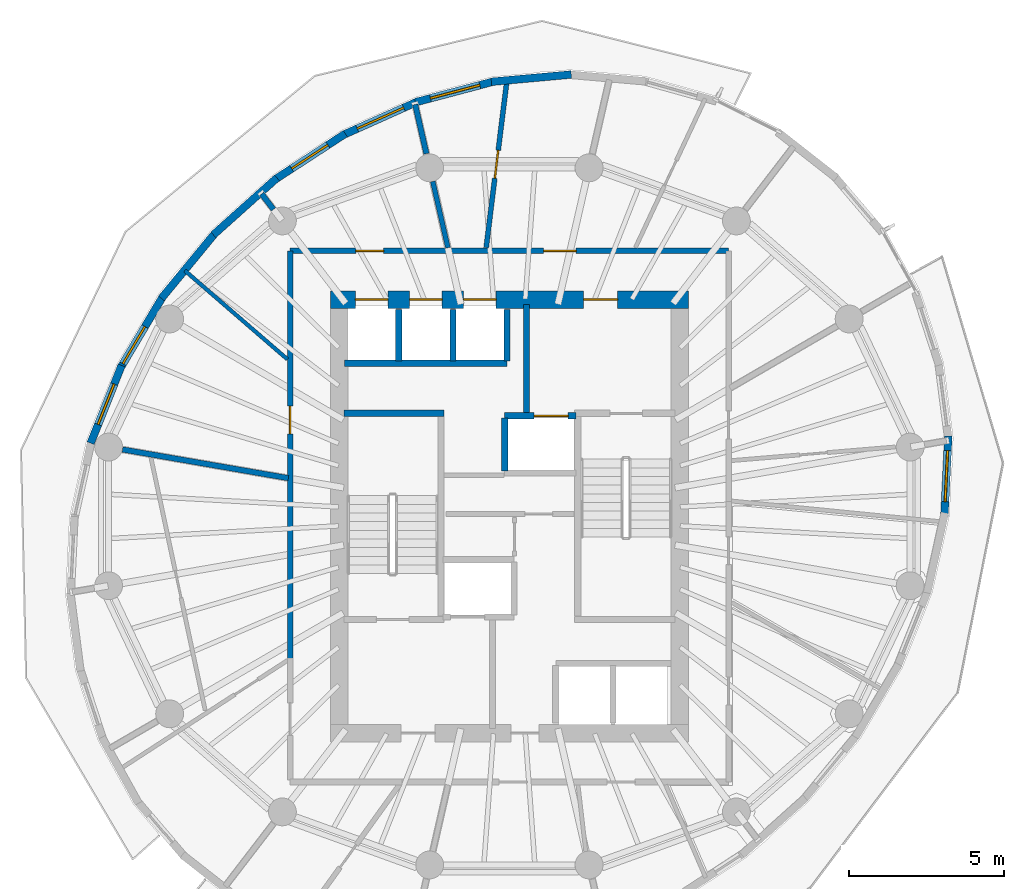
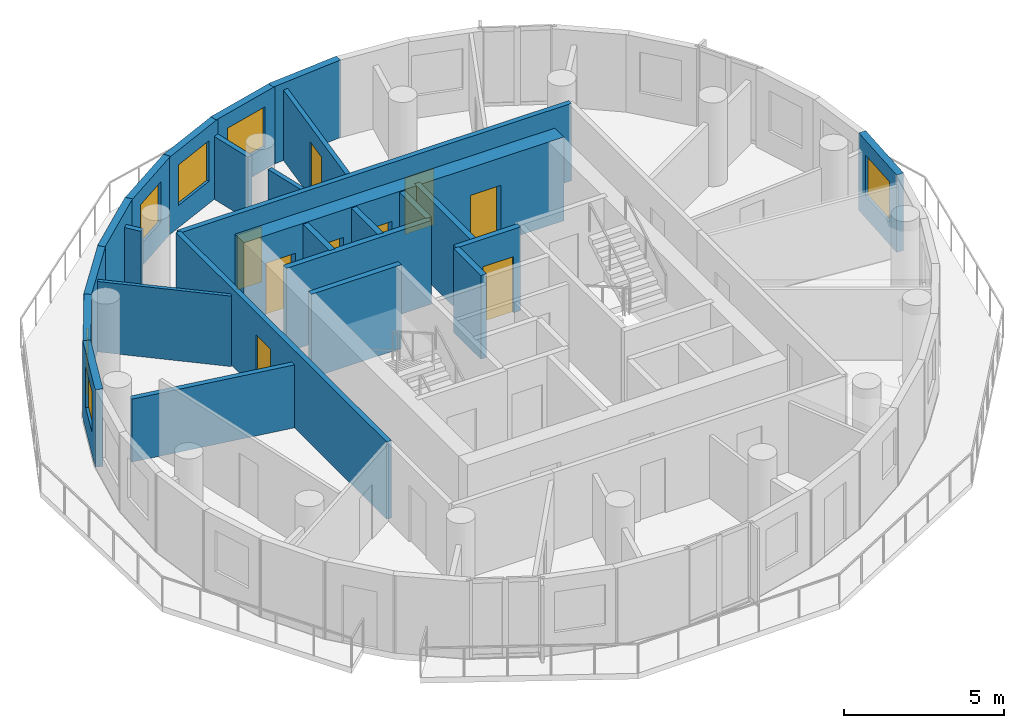
# One storey, part 6 of 10: 26 walls, 9 doors, 6 windows, 15 openings.
"""IFC4 building model written with IfcOpenShell, lengths in metres."""

from ifc_helpers import new_model, si_unit, direction, frame, frame_2d, origin, place, context, subcontext, project, spatial, rectangle, extrude, material, layer, layer_set, type_object, element, fill, save


model = new_model("IFC4")

# Units and contexts
model_context = context("Model", 3, precision=1e-05, world=origin(), true_north=direction((0.0, 1.0)))
body_context = subcontext(model_context, "Body", "Model", "MODEL_VIEW")
ifc_project = project(units=[si_unit("LENGTHUNIT", "METRE"), si_unit("AREAUNIT", "SQUARE_METRE"), si_unit("VOLUMEUNIT", "CUBIC_METRE"), si_unit("PLANEANGLEUNIT", "RADIAN"), si_unit("MASSUNIT", "GRAM", prefix="KILO")], contexts=[model_context])

# Site, building, storey
site_placement = place(None, origin())
site = spatial("IfcSite", under=ifc_project, at=site_placement, CompositionType="ELEMENT")
building_placement = place(site_placement, origin())
building = spatial("IfcBuilding", under=site, at=building_placement, Name="Veldorim Arch Residences", CompositionType="ELEMENT")
storey_placement = place(building_placement, frame((0.0, 0.0, 188.639892578125)))
storey = spatial("IfcBuildingStorey", under=building, at=storey_placement, Name="L56", CompositionType="ELEMENT", Elevation=188.639892578125)

# Walls
ifc_material_1 = material(Name="Acoustic Gypsum Board", Category="gypsum")
ifc_layer_1 = layer(ifc_material_1, 0.125, Name="Acoustic Stud Room Partition Wall 125")
ifc_layer_set_1 = layer_set([ifc_layer_1], Name="Acoustic Gypsum Board")
wall_type_1 = type_object("IfcWallType", Name="Acoustic Stud Room Partition Wall 125", PredefinedType="PARTITIONING", material=ifc_layer_set_1)
wall_1_placement = place(storey_placement, frame((21.515380859375, 31.940673828125, 0.0), z_axis=(0.0, 0.0, 1.0), x_axis=(0.756468247818, -0.654030419815, 0.0)))
element("IfcWall", 1, at=wall_1_placement, inside=storey, type_object=wall_type_1, Name="L56 interior wall WL-RES-L56-018", PredefinedType="PARTITIONING", context=body_context, shape_type="SweptSolid", body=[
    extrude(rectangle(XDim=4.380615234375, YDim=0.125, at=frame_2d((2.1904296875, 0.0))), origin(), (0.0, 0.0, 1.0), 2.692138671875),
])
ifc_material_2 = material(Name="Lightweight Masonry Block & Gypsum", Category="masonry")
ifc_layer_2 = layer(ifc_material_2, 0.179931640625, Name="Compartment & Corridor Fire-Rated Party Wall 180")
ifc_layer_set_2 = layer_set([ifc_layer_2], Name="Lightweight Masonry Block & Gypsum")
wall_type_2 = type_object("IfcWallType", Name="Compartment & Corridor Fire-Rated Party Wall 180", PredefinedType="PARTITIONING", material=ifc_layer_set_2)
wall_2_placement = place(storey_placement, frame((29.320068359375, 35.717529296875, 0.0), z_axis=(0.0, 0.0, 1.0), x_axis=(-0.222967107114, 0.974825968645, 0.0)))
element("IfcWall", 2, at=wall_2_placement, inside=storey, type_object=wall_type_2, Name="L56 interior wall WL-PIER-L56-05", PredefinedType="PARTITIONING", context=body_context, shape_type="SweptSolid", body=[
    extrude(rectangle(XDim=1.63037109375, YDim=0.179931640625, at=frame_2d((0.815185546875, 0.0))), origin(), (0.0, 0.0, 1.0), 2.403564453125),
])
wall_3_placement = place(storey_placement, frame((24.380126953125, 33.91796875, 0.0), z_axis=(0.0, 0.0, 1.0), x_axis=(-0.609112888366, 0.793083532314, 0.0)))
element("IfcWall", 3, at=wall_3_placement, inside=storey, type_object=wall_type_2, Name="L56 interior wall WL-PIER-L56-06", PredefinedType="PARTITIONING", context=body_context, shape_type="SweptSolid", body=[
    extrude(rectangle(XDim=0.631591796875, YDim=0.179931640625, at=frame_2d((0.31591796875, 0.0))), origin(), (0.0, 0.0, 1.0), 2.403564453125),
])

# Wall, openings, doors
wall_4_placement = place(storey_placement, frame((24.919921875, 32.580078125, 0.0), z_axis=(0.0, 0.0, 1.0), x_axis=(1.0, 0.0, 0.0)))
wall_4 = element("IfcWall", 4, at=wall_4_placement, inside=storey, type_object=wall_type_2, Name="L56 interior wall WL-RES-L56-004", PredefinedType="PARTITIONING", context=body_context, shape_type="SweptSolid", body=[
    extrude(rectangle(XDim=14.16015625, YDim=0.179931640625, at=frame_2d((7.080078125, 0.0))), origin(), (0.0, 0.0, 1.0), 2.955078125),
])
opening_1_placement = place(wall_4_placement, frame((8.186279296875, 0.0, 0.0)))
opening_1 = element("IfcOpeningElement", 5, at=opening_1_placement, cuts=wall_4, Name="Opening DR-FLT", PredefinedType="OPENING", context=body_context, shape_type="SweptSolid", body=[
    extrude(rectangle(XDim=1.050048828125, YDim=2.14990234375, at=frame_2d((0.52490234375, 1.074951171875))), frame((0.0, 0.099853515625, 0.0), z_axis=(0.0, -1.0, 0.0), x_axis=(1.0, 0.0, 0.0)), (0.0, 0.0, 1.0), 0.199951171875),
])
opening_2_placement = place(wall_4_placement, frame((2.118896484375, 0.0, 0.0)))
opening_2 = element("IfcOpeningElement", 6, at=opening_2_placement, cuts=wall_4, Name="Opening DR-SVC", PredefinedType="OPENING", context=body_context, shape_type="SweptSolid", body=[
    extrude(rectangle(XDim=0.89990234375, YDim=2.10009765625, at=frame_2d((0.449951171875, 1.050048828125))), frame((0.0, 0.099853515625, 0.0), z_axis=(0.0, -1.0, 0.0), x_axis=(1.0, 0.0, 0.0)), (0.0, 0.0, 1.0), 0.199951171875),
])
ifc_material_3 = material(Name="Fire-Rated Timber", Category="wood")
door_type_1 = type_object("IfcDoorType", Name="Apartment Entrance Solid-Core Fire Door 1050x2150", OperationType="SINGLE_SWING_LEFT", PredefinedType="DOOR", material=ifc_material_3)
door_1_placement = place(opening_1_placement, origin())
door_1 = element("IfcDoor", 7, at=door_1_placement, inside=storey, type_object=door_type_1, Name="L56 interior door DR-RES-L56-007", OperationType="SINGLE_SWING_LEFT", OverallHeight=2.14990234375, OverallWidth=1.050048828125, PredefinedType="DOOR", context=body_context, shape_type="SweptSolid", body=[
    extrude(rectangle(XDim=1.050048828125, YDim=2.14990234375, at=frame_2d((0.52490234375, 1.074951171875))), frame((0.0, 0.02490234375, 0.0), z_axis=(0.0, -1.0, 0.0), x_axis=(1.0, 0.0, 0.0)), (0.0, 0.0, 1.0), 0.050048828125),
])
fill(opening_1, door_1)
ifc_material_4 = material(Name="Fire-Rated Steel", Category="steel")
door_type_2 = type_object("IfcDoorType", Name="Riser, Shelter & Plant Room Rated Steel Door 900x2100", OperationType="SINGLE_SWING_LEFT", PredefinedType="DOOR", material=ifc_material_4)
door_2_placement = place(opening_2_placement, origin())
door_2 = element("IfcDoor", 8, at=door_2_placement, inside=storey, type_object=door_type_2, Name="L56 interior door DR-RES-L56-011", OperationType="SINGLE_SWING_LEFT", OverallHeight=2.10009765625, OverallWidth=0.89990234375, PredefinedType="DOOR", context=body_context, shape_type="SweptSolid", body=[
    extrude(rectangle(XDim=0.89990234375, YDim=2.10009765625, at=frame_2d((0.449951171875, 1.050048828125))), frame((0.0, 0.02490234375, 0.0), z_axis=(0.0, -1.0, 0.0), x_axis=(1.0, 0.0, 0.0)), (0.0, 0.0, 1.0), 0.050048828125),
])
fill(opening_2, door_2)

# Wall, opening, door
wall_5_placement = place(storey_placement, frame((24.919921875, 19.382080078125, 0.0), z_axis=(0.0, 0.0, 1.0), x_axis=(0.0, 1.0, 0.0)))
wall_5 = element("IfcWall", 9, at=wall_5_placement, inside=storey, type_object=wall_type_2, Name="L56 interior wall WL-RES-L56-005", PredefinedType="PARTITIONING", context=body_context, shape_type="SweptSolid", body=[
    extrude(rectangle(XDim=13.197998046875, YDim=0.179931640625, at=frame_2d((6.59912109375, 0.0))), origin(), (0.0, 0.0, 1.0), 2.955078125),
])
opening_3_placement = place(wall_5_placement, frame((7.2822265625, 0.0, 0.0)))
opening_3 = element("IfcOpeningElement", 10, at=opening_3_placement, cuts=wall_5, Name="Opening DR-INT", PredefinedType="OPENING", context=body_context, shape_type="SweptSolid", body=[
    extrude(rectangle(XDim=0.89990234375, YDim=2.10009765625, at=frame_2d((0.449951171875, 1.050048828125))), frame((0.0, 0.099853515625, 0.0), z_axis=(0.0, -1.0, 0.0), x_axis=(1.0, 0.0, 0.0)), (0.0, 0.0, 1.0), 0.199951171875),
])
ifc_material_5 = material(Name="Engineered Timber", Category="wood")
door_type_3 = type_object("IfcDoorType", Name="Apartment Internal Room Timber Door 900x2100", OperationType="SINGLE_SWING_LEFT", PredefinedType="DOOR", material=ifc_material_5)
door_3_placement = place(opening_3_placement, origin())
door_3 = element("IfcDoor", 11, at=door_3_placement, inside=storey, type_object=door_type_3, Name="L56 interior door DR-RES-L56-010", OperationType="SINGLE_SWING_RIGHT", OverallHeight=2.10009765625, OverallWidth=0.89990234375, PredefinedType="DOOR", context=body_context, shape_type="SweptSolid", body=[
    extrude(rectangle(XDim=0.89990234375, YDim=2.10009765625, at=frame_2d((0.449951171875, 1.050048828125))), frame((0.0, 0.02490234375, 0.0), z_axis=(0.0, -1.0, 0.0), x_axis=(1.0, 0.0, 0.0)), (0.0, 0.0, 1.0), 0.050048828125),
])
fill(opening_3, door_3)

# Walls
wall_6_placement = place(storey_placement, frame((24.86083984375, 25.235107421875, 0.0), z_axis=(0.0, 0.0, 1.0), x_axis=(-0.985368487575, 0.170437506711, 0.0)))
element("IfcWall", 12, at=wall_6_placement, inside=storey, type_object=wall_type_2, Name="L56 interior wall WL-RES-L56-019", PredefinedType="PARTITIONING", context=body_context, shape_type="SweptSolid", body=[
    extrude(rectangle(XDim=5.43896484375, YDim=0.179931640625, at=frame_2d((2.719482421875, 0.0))), origin(), (0.0, 0.0, 1.0), 2.403564453125),
])
ifc_material_6 = material(Name="Concrete C50/60", Category="concrete")
ifc_layer_3 = layer(ifc_material_6, 0.199951171875, Name="Core Stair & Lift Shaft Enclosure Wall 200")
ifc_layer_set_3 = layer_set([ifc_layer_3], Name="Concrete C50/60")
wall_type_3 = type_object("IfcWallType", Name="Core Stair & Lift Shaft Enclosure Wall 200", PredefinedType="SHEAR", material=ifc_layer_set_3)
wall_7_placement = place(storey_placement, frame((26.64990234375, 27.330078125, 0.0), z_axis=(0.0, 0.0, 1.0), x_axis=(1.0, 0.0, 0.0)))
element("IfcWall", 13, at=wall_7_placement, inside=storey, type_object=wall_type_3, Name="L56 shaft wall WL-SHF-L56-ST1-N", PredefinedType="SHEAR", context=body_context, shape_type="SweptSolid", body=[
    extrude(rectangle(XDim=3.239990234375, YDim=0.199951171875, at=frame_2d((1.6201171875, 0.0))), origin(), (0.0, 0.0, 1.0), 3.2001953125),
])
wall_8_placement = place(storey_placement, frame((32.550048828125, 27.35009765625, 0.0), z_axis=(0.0, 0.0, 1.0), x_axis=(0.0, 1.0, 0.0)))
element("IfcWall", 14, at=wall_8_placement, inside=storey, type_object=wall_type_3, Name="L56 shaft wall WL-FFL2-L56-W", PredefinedType="SHEAR", context=body_context, shape_type="SweptSolid", body=[
    extrude(rectangle(XDim=3.5, YDim=0.199951171875, at=frame_2d((1.75, 0.0))), origin(), (0.0, 0.0, 1.0), 3.2001953125),
])

# Wall, opening, door
wall_9_placement = place(storey_placement, frame((31.85009765625, 27.25, 0.0), z_axis=(0.0, 0.0, 1.0), x_axis=(1.0, 0.0, 0.0)))
wall_9 = element("IfcWall", 15, at=wall_9_placement, inside=storey, type_object=wall_type_3, Name="L56 shaft wall WL-FL02-L56-N", PredefinedType="SHEAR", context=body_context, shape_type="SweptSolid", body=[
    extrude(rectangle(XDim=2.2998046875, YDim=0.199951171875, at=frame_2d((1.14990234375, 0.0))), origin(), (0.0, 0.0, 1.0), 3.2001953125),
])
opening_4_placement = place(wall_9_placement, frame((0.949951171875, 0.0, 0.0)))
opening_4 = element("IfcOpeningElement", 16, at=opening_4_placement, cuts=wall_9, Name="Opening LD-FF", PredefinedType="OPENING", context=body_context, shape_type="SweptSolid", body=[
    extrude(rectangle(XDim=1.10009765625, YDim=2.14990234375, at=frame_2d((0.550048828125, 1.074951171875))), frame((0.0, 0.10986328125, 0.0), z_axis=(0.0, -1.0, 0.0), x_axis=(1.0, 0.0, 0.0)), (0.0, 0.0, 1.0), 0.219970703125),
])
ifc_material_7 = material(Name="Stainless Steel", Category="steel")
door_type_4 = type_object("IfcDoorType", Name="Firefighting Lift Bi-Parting Sliding Landing Door 1100x2150", OperationType="DOUBLE_DOOR_SLIDING", PredefinedType="DOOR", material=ifc_material_7)
door_4_placement = place(opening_4_placement, origin())
door_4 = element("IfcDoor", 17, at=door_4_placement, inside=storey, type_object=door_type_4, Name="L56 lift landing door LD-L56-FL02", OperationType="DOUBLE_DOOR_SLIDING", OverallHeight=2.14990234375, OverallWidth=1.10009765625, PredefinedType="DOOR", context=body_context, shape_type="SweptSolid", body=[
    extrude(rectangle(XDim=1.10009765625, YDim=2.14990234375, at=frame_2d((0.550048828125, 1.074951171875))), frame((0.0, 0.02490234375, 0.0), z_axis=(0.0, -1.0, 0.0), x_axis=(1.0, 0.0, 0.0)), (0.0, 0.0, 1.0), 0.050048828125),
])
fill(opening_4, door_4)

# Walls
wall_10_placement = place(storey_placement, frame((31.85009765625, 25.469970703125, 0.0), z_axis=(0.0, 0.0, 1.0), x_axis=(0.0, 1.0, 0.0)))
element("IfcWall", 18, at=wall_10_placement, inside=storey, type_object=wall_type_3, Name="L56 shaft wall WL-FL02-L56-W", PredefinedType="SHEAR", context=body_context, shape_type="SweptSolid", body=[
    extrude(rectangle(XDim=1.7099609375, YDim=0.199951171875, at=frame_2d((0.85498046875, 0.0))), origin(), (0.0, 0.0, 1.0), 3.2001953125),
])
wall_11_placement = place(storey_placement, frame((26.679931640625, 28.949951171875, 0.0), z_axis=(0.0, 0.0, 1.0), x_axis=(1.0, 0.0, 0.0)))
element("IfcWall", 19, at=wall_11_placement, inside=storey, type_object=wall_type_3, Name="L56 shaft wall WL-B3-L56-S", PredefinedType="SHEAR", context=body_context, shape_type="SweptSolid", body=[
    extrude(rectangle(XDim=5.239990234375, YDim=0.199951171875, at=frame_2d((2.6201171875, 0.0))), origin(), (0.0, 0.0, 1.0), 3.2001953125),
])
for number, where, z_axis, x_axis, name in (
    (20, (31.919921875, 29.02001953125, 0.0), (0.0, 0.0, 1.0), (0.0, 1.0, 0.0), "L56 shaft wall WL-B3-L56-E"),
    (21, (28.425048828125, 29.02001953125, 0.0), (0.0, 0.0, 1.0), (0.0, 1.0, 0.0), "L56 shaft wall WL-B3-L56-D1"),
    (22, (30.175048828125, 29.02001953125, 0.0), (0.0, 0.0, 1.0), (0.0, 1.0, 0.0), "L56 shaft wall WL-B3-L56-D2"),
):
    element("IfcWall", number, at=place(storey_placement, frame(where, z_axis=z_axis, x_axis=x_axis)), inside=storey, type_object=wall_type_3, Name=name, PredefinedType="SHEAR", context=body_context, shape_type="SweptSolid", body=[
        extrude(rectangle(XDim=1.659912109375, YDim=0.199951171875, at=frame_2d((0.830078125, 0.0))), origin(), (0.0, 0.0, 1.0), 3.2001953125),
    ])
ifc_material_8 = material(Name="Precast concrete C40/50", Category="concrete")
ifc_layer_4 = layer(ifc_material_8, 0.25, Name="Tower Terracotta Spandrel & Pier Wall 250")
ifc_layer_set_4 = layer_set([ifc_layer_4], Name="Precast concrete C40/50")
wall_type_4 = type_object("IfcWallType", Name="Tower Terracotta Spandrel & Pier Wall 250", PredefinedType="SOLIDWALL", material=ifc_layer_set_4)
wall_12_placement = place(storey_placement, frame((31.417724609375, 38.04150390625, 0.0), z_axis=(0.0, 0.0, 1.0), x_axis=(0.995895522128, 0.090510270169, 0.0)))
element("IfcWall", 23, at=wall_12_placement, inside=storey, type_object=wall_type_4, Name="L56 terracotta facade wall 05", PredefinedType="SOLIDWALL", context=body_context, shape_type="SweptSolid", body=[
    extrude(rectangle(XDim=2.59228515625, YDim=0.25, at=frame_2d((1.296142578125, 0.0))), origin(), (0.0, 0.0, 1.0), 2.960205078125),
])

# Wall, opening, window
wall_13_placement = place(storey_placement, frame((28.964599609375, 37.380615234375, 0.0), z_axis=(0.0, 0.0, 1.0), x_axis=(0.96652474621, 0.256573410476, 0.0)))
wall_13 = element("IfcWall", 24, at=wall_13_placement, inside=storey, type_object=wall_type_4, Name="L56 terracotta facade wall 06", PredefinedType="SOLIDWALL", context=body_context, shape_type="SweptSolid", body=[
    extrude(rectangle(XDim=2.65087890625, YDim=0.25, at=frame_2d((1.325439453125, 0.0))), origin(), (0.0, 0.0, 1.0), 2.960205078125),
])
opening_5_placement = place(wall_13_placement, frame((0.5009765625, 0.0, 0.85009765625)))
opening_5 = element("IfcOpeningElement", 25, at=opening_5_placement, cuts=wall_13, Name="Opening WN-03", PredefinedType="OPENING", context=body_context, shape_type="SweptSolid", body=[
    extrude(rectangle(XDim=1.64990234375, YDim=1.550048828125, at=frame_2d((0.824951171875, 0.77490234375))), frame((0.0, 0.135009765625, 0.0), z_axis=(0.0, -1.0, 0.0), x_axis=(1.0, 0.0, 0.0)), (0.0, 0.0, 1.0), 0.27001953125),
])
ifc_material_9 = material(Name="Laminated Low-E Glass", Category="glass")
window_type_1 = type_object("IfcWindowType", Name="Residential Wide Window 1650x1550", PartitioningType="SINGLE_PANEL", PredefinedType="WINDOW", material=ifc_material_9)
window_1_placement = place(opening_5_placement, origin())
window_1 = element("IfcWindow", 26, at=window_1_placement, inside=storey, type_object=window_type_1, Name="L56 solar-control facade window 06", OverallHeight=1.550048828125, OverallWidth=1.64990234375, PartitioningType="SINGLE_PANEL", PredefinedType="WINDOW", context=body_context, shape_type="SweptSolid", body=[
    extrude(rectangle(XDim=1.64990234375, YDim=1.550048828125, at=frame_2d((0.824951171875, 0.77490234375))), frame((0.0, 0.030029296875, 0.0), z_axis=(0.0, -1.0, 0.0), x_axis=(1.0, 0.0, 0.0)), (0.0, 0.0, 1.0), 0.06005859375),
])
fill(opening_5, window_1)

wall_14_placement = place(storey_placement, frame((26.6025390625, 36.312744140625, 0.0), z_axis=(0.0, 0.0, 1.0), x_axis=(0.912615139532, 0.408819773368, 0.0)))
wall_14 = element("IfcWall", 27, at=wall_14_placement, inside=storey, type_object=wall_type_4, Name="L56 terracotta facade wall 07", PredefinedType="SOLIDWALL", context=body_context, shape_type="SweptSolid", body=[
    extrude(rectangle(XDim=2.70166015625, YDim=0.25, at=frame_2d((1.350830078125, 0.0))), origin(), (0.0, 0.0, 1.0), 2.960205078125),
])
opening_6_placement = place(wall_14_placement, frame((0.52587890625, 0.0, 0.85009765625)))
opening_6 = element("IfcOpeningElement", 28, at=opening_6_placement, cuts=wall_14, Name="Opening WN-03", PredefinedType="OPENING", context=body_context, shape_type="SweptSolid", body=[
    extrude(rectangle(XDim=1.64990234375, YDim=1.550048828125, at=frame_2d((0.824951171875, 0.77490234375))), frame((0.0, 0.135009765625, 0.0), z_axis=(0.0, -1.0, 0.0), x_axis=(1.0, 0.0, 0.0)), (0.0, 0.0, 1.0), 0.27001953125),
])
window_2_placement = place(opening_6_placement, origin())
window_2 = element("IfcWindow", 29, at=window_2_placement, inside=storey, type_object=window_type_1, Name="L56 solar-control facade window 07", OverallHeight=1.550048828125, OverallWidth=1.64990234375, PartitioningType="SINGLE_PANEL", PredefinedType="WINDOW", context=body_context, shape_type="SweptSolid", body=[
    extrude(rectangle(XDim=1.64990234375, YDim=1.550048828125, at=frame_2d((0.824951171875, 0.77490234375))), frame((0.0, 0.030029296875, 0.0), z_axis=(0.0, -1.0, 0.0), x_axis=(1.0, 0.0, 0.0)), (0.0, 0.0, 1.0), 0.06005859375),
])
fill(opening_6, window_2)

wall_15_placement = place(storey_placement, frame((24.404052734375, 34.8701171875, 0.0), z_axis=(0.0, 0.0, 1.0), x_axis=(0.837860586987, 0.545884270496, 0.0)))
wall_15 = element("IfcWall", 30, at=wall_15_placement, inside=storey, type_object=wall_type_4, Name="L56 terracotta facade wall 08", PredefinedType="SOLIDWALL", context=body_context, shape_type="SweptSolid", body=[
    extrude(rectangle(XDim=2.738525390625, YDim=0.25, at=frame_2d((1.369140625, 0.0))), origin(), (0.0, 0.0, 1.0), 2.960205078125),
])
opening_7_placement = place(wall_15_placement, frame((0.6689453125, 0.0, 0.85009765625)))
opening_7 = element("IfcOpeningElement", 31, at=opening_7_placement, cuts=wall_15, Name="Opening WN-02", PredefinedType="OPENING", context=body_context, shape_type="SweptSolid", body=[
    extrude(rectangle(XDim=1.39990234375, YDim=1.550048828125, at=frame_2d((0.699951171875, 0.77490234375))), frame((0.0, 0.135009765625, 0.0), z_axis=(0.0, -1.0, 0.0), x_axis=(1.0, 0.0, 0.0)), (0.0, 0.0, 1.0), 0.27001953125),
])
ifc_material_10 = material(Name="Laminated Low-E Glass", Category="glass")
window_type_2 = type_object("IfcWindowType", Name="Residential Casement Window 1400x1550", PartitioningType="SINGLE_PANEL", PredefinedType="WINDOW", material=ifc_material_10)
window_3_placement = place(opening_7_placement, origin())
window_3 = element("IfcWindow", 32, at=window_3_placement, inside=storey, type_object=window_type_2, Name="L56 solar-control facade window 08", OverallHeight=1.550048828125, OverallWidth=1.39990234375, PartitioningType="SINGLE_PANEL", PredefinedType="WINDOW", context=body_context, shape_type="SweptSolid", body=[
    extrude(rectangle(XDim=1.39990234375, YDim=1.550048828125, at=frame_2d((0.699951171875, 0.77490234375))), frame((0.0, 0.030029296875, 0.0), z_axis=(0.0, -1.0, 0.0), x_axis=(1.0, 0.0, 0.0)), (0.0, 0.0, 1.0), 0.06005859375),
])
fill(opening_7, window_3)

# Walls
for number, where, z_axis, x_axis, name in (
    (33, (22.43603515625, 33.09619140625, 0.0), (0.0, 0.0, 1.0), (0.744898573364, 0.667177723998, 0.0), "L56 terracotta facade wall 09"),
    (34, (20.7587890625, 31.044921875, 0.0), (0.0, 0.0, 1.0), (0.635409334306, 0.772175483861, 0.0), "L56 terracotta facade wall 10"),
):
    element("IfcWall", number, at=place(storey_placement, frame(where, z_axis=z_axis, x_axis=x_axis)), inside=storey, type_object=wall_type_4, Name=name, PredefinedType="SOLIDWALL", context=body_context, shape_type="SweptSolid", body=[
        extrude(rectangle(XDim=2.758056640625, YDim=0.25, at=frame_2d((1.37890625, 0.0))), origin(), (0.0, 0.0, 1.0), 2.960205078125),
    ])

# Wall, opening, window
wall_16_placement = place(storey_placement, frame((19.423828125, 28.779052734375, 0.0), z_axis=(0.0, 0.0, 1.0), x_axis=(0.510320389621, 0.859984360287, 0.0)))
wall_16 = element("IfcWall", 35, at=wall_16_placement, inside=storey, type_object=wall_type_4, Name="L56 terracotta facade wall 11", PredefinedType="SOLIDWALL", context=body_context, shape_type="SweptSolid", body=[
    extrude(rectangle(XDim=2.73828125, YDim=0.25, at=frame_2d((1.369140625, 0.0))), origin(), (0.0, 0.0, 1.0), 2.960205078125),
])
opening_8_placement = place(wall_16_placement, frame((0.175048828125, 0.0, 0.85009765625)))
opening_8 = element("IfcOpeningElement", 36, at=opening_8_placement, cuts=wall_16, Name="Opening WN-02", PredefinedType="OPENING", context=body_context, shape_type="SweptSolid", body=[
    extrude(rectangle(XDim=1.39990234375, YDim=1.550048828125, at=frame_2d((0.699951171875, 0.77490234375))), frame((0.0, 0.135009765625, 0.0), z_axis=(0.0, -1.0, 0.0), x_axis=(1.0, 0.0, 0.0)), (0.0, 0.0, 1.0), 0.27001953125),
])
window_4_placement = place(opening_8_placement, origin())
window_4 = element("IfcWindow", 37, at=window_4_placement, inside=storey, type_object=window_type_2, Name="L56 solar-control facade window 11", OverallHeight=1.550048828125, OverallWidth=1.39990234375, PartitioningType="SINGLE_PANEL", PredefinedType="WINDOW", context=body_context, shape_type="SweptSolid", body=[
    extrude(rectangle(XDim=1.39990234375, YDim=1.550048828125, at=frame_2d((0.699951171875, 0.77490234375))), frame((0.0, 0.030029296875, 0.0), z_axis=(0.0, -1.0, 0.0), x_axis=(1.0, 0.0, 0.0)), (0.0, 0.0, 1.0), 0.06005859375),
])
fill(opening_8, window_4)

wall_17_placement = place(storey_placement, frame((18.4716796875, 26.367431640625, 0.0), z_axis=(0.0, 0.0, 1.0), x_axis=(0.370330939431, 0.928899884433, 0.0)))
wall_17 = element("IfcWall", 38, at=wall_17_placement, inside=storey, type_object=wall_type_4, Name="L56 terracotta facade wall 12", PredefinedType="SOLIDWALL", context=body_context, shape_type="SweptSolid", body=[
    extrude(rectangle(XDim=2.70166015625, YDim=0.25, at=frame_2d((1.350830078125, 0.0))), origin(), (0.0, 0.0, 1.0), 2.960205078125),
])
opening_9_placement = place(wall_17_placement, frame((0.65087890625, 0.0, 0.85009765625)))
opening_9 = element("IfcOpeningElement", 39, at=opening_9_placement, cuts=wall_17, Name="Opening WN-02", PredefinedType="OPENING", context=body_context, shape_type="SweptSolid", body=[
    extrude(rectangle(XDim=1.39990234375, YDim=1.550048828125, at=frame_2d((0.699951171875, 0.77490234375))), frame((0.0, 0.135009765625, 0.0), z_axis=(0.0, -1.0, 0.0), x_axis=(1.0, 0.0, 0.0)), (0.0, 0.0, 1.0), 0.27001953125),
])
window_5_placement = place(opening_9_placement, origin())
window_5 = element("IfcWindow", 40, at=window_5_placement, inside=storey, type_object=window_type_2, Name="L56 solar-control facade window 12", OverallHeight=1.550048828125, OverallWidth=1.39990234375, PartitioningType="SINGLE_PANEL", PredefinedType="WINDOW", context=body_context, shape_type="SweptSolid", body=[
    extrude(rectangle(XDim=1.39990234375, YDim=1.550048828125, at=frame_2d((0.699951171875, 0.77490234375))), frame((0.0, 0.030029296875, 0.0), z_axis=(0.0, -1.0, 0.0), x_axis=(1.0, 0.0, 0.0)), (0.0, 0.0, 1.0), 0.06005859375),
])
fill(opening_9, window_5)

wall_18_placement = place(storey_placement, frame((46.1796875, 26.595458984375, 0.0), z_axis=(0.0, 0.0, 1.0), x_axis=(-0.048688181414, -0.99881402723, 0.0)))
wall_18 = element("IfcWall", 41, at=wall_18_placement, inside=storey, type_object=wall_type_4, Name="L56 terracotta facade wall 32", PredefinedType="SOLIDWALL", context=body_context, shape_type="SweptSolid", body=[
    extrude(rectangle(XDim=2.592529296875, YDim=0.25, at=frame_2d((1.29638671875, 0.0))), origin(), (0.0, 0.0, 1.0), 2.960205078125),
])
opening_10_placement = place(wall_18_placement, frame((0.470947265625, 0.0, 0.85009765625)))
opening_10 = element("IfcOpeningElement", 42, at=opening_10_placement, cuts=wall_18, Name="Opening WN-03", PredefinedType="OPENING", context=body_context, shape_type="SweptSolid", body=[
    extrude(rectangle(XDim=1.64990234375, YDim=1.550048828125, at=frame_2d((0.824951171875, 0.77490234375))), frame((0.0, 0.135009765625, 0.0), z_axis=(0.0, -1.0, 0.0), x_axis=(1.0, 0.0, 0.0)), (0.0, 0.0, 1.0), 0.27001953125),
])
window_6_placement = place(opening_10_placement, origin())
window_6 = element("IfcWindow", 43, at=window_6_placement, inside=storey, type_object=window_type_1, Name="L56 solar-control facade window 32", OverallHeight=1.550048828125, OverallWidth=1.64990234375, PartitioningType="SINGLE_PANEL", PredefinedType="WINDOW", context=body_context, shape_type="SweptSolid", body=[
    extrude(rectangle(XDim=1.64990234375, YDim=1.550048828125, at=frame_2d((0.824951171875, 0.77490234375))), frame((0.0, 0.030029296875, 0.0), z_axis=(0.0, -1.0, 0.0), x_axis=(1.0, 0.0, 0.0)), (0.0, 0.0, 1.0), 0.06005859375),
])
fill(opening_10, window_6)

# Wall, openings, doors
ifc_material_11 = material(Name="Concrete C50/60", Category="concrete")
ifc_layer_5 = layer(ifc_material_11, 0.5, Name="Upper Central Core Shear Wall 560")
ifc_layer_set_5 = layer_set([ifc_layer_5], Name="Concrete C50/60")
wall_type_5 = type_object("IfcWallType", Name="Upper Central Core Shear Wall 560", PredefinedType="SHEAR", material=ifc_layer_set_5)
wall_19_placement = place(storey_placement, frame((26.219970703125, 31.0, 0.0), z_axis=(0.0, 0.0, 1.0), x_axis=(1.0, 0.0, 0.0)))
wall_19 = element("IfcWall", 44, at=wall_19_placement, inside=storey, type_object=wall_type_5, Name="L56 central core north shear wall", PredefinedType="SHEAR", context=body_context, shape_type="SweptSolid", body=[
    extrude(rectangle(XDim=11.56005859375, YDim=0.56005859375, at=frame_2d((5.780029296875, 0.0))), origin(), (0.0, 0.0, 1.0), 3.2001953125),
])
opening_11_placement = place(wall_19_placement, frame((8.179931640625, 0.0, 0.0)))
opening_11 = element("IfcOpeningElement", 45, at=opening_11_placement, cuts=wall_19, Name="Opening DR-FFL", PredefinedType="OPENING", context=body_context, shape_type="SweptSolid", body=[
    extrude(rectangle(XDim=1.10009765625, YDim=2.14990234375, at=frame_2d((0.550048828125, 1.074951171875))), frame((0.0, 0.2900390625, 0.0), z_axis=(0.0, -1.0, 0.0), x_axis=(1.0, 0.0, 0.0)), (0.0, 0.0, 1.0), 0.580078125),
])
opening_12_placement = place(wall_19_placement, frame((0.804931640625, 0.0, 0.0)))
opening_12 = element("IfcOpeningElement", 46, at=opening_12_placement, cuts=wall_19, Name="Opening LD-PS", PredefinedType="OPENING", context=body_context, shape_type="SweptSolid", body=[
    extrude(rectangle(XDim=1.050048828125, YDim=2.14990234375, at=frame_2d((0.52490234375, 1.074951171875))), frame((0.0, 0.2900390625, 0.0), z_axis=(0.0, -1.0, 0.0), x_axis=(1.0, 0.0, 0.0)), (0.0, 0.0, 1.0), 0.580078125),
])
opening_13_placement = place(wall_19_placement, frame((2.554931640625, 0.0, 0.0)))
opening_13 = element("IfcOpeningElement", 47, at=opening_13_placement, cuts=wall_19, Name="Opening LD-PS", PredefinedType="OPENING", context=body_context, shape_type="SweptSolid", body=[
    extrude(rectangle(XDim=1.050048828125, YDim=2.14990234375, at=frame_2d((0.52490234375, 1.074951171875))), frame((0.0, 0.2900390625, 0.0), z_axis=(0.0, -1.0, 0.0), x_axis=(1.0, 0.0, 0.0)), (0.0, 0.0, 1.0), 0.580078125),
])
opening_14_placement = place(wall_19_placement, frame((4.304931640625, 0.0, 0.0)))
opening_14 = element("IfcOpeningElement", 48, at=opening_14_placement, cuts=wall_19, Name="Opening LD-PS", PredefinedType="OPENING", context=body_context, shape_type="SweptSolid", body=[
    extrude(rectangle(XDim=1.050048828125, YDim=2.14990234375, at=frame_2d((0.52490234375, 1.074951171875))), frame((0.0, 0.2900390625, 0.0), z_axis=(0.0, -1.0, 0.0), x_axis=(1.0, 0.0, 0.0)), (0.0, 0.0, 1.0), 0.580078125),
])
ifc_material_12 = material(Name="Fire-Rated Steel & Vision Glass", Category="steel")
door_type_5 = type_object("IfcDoorType", Name="Firefighting Lobby Smoke-Stop Fire Door 1100x2150", OperationType="SINGLE_SWING_LEFT", PredefinedType="DOOR", material=ifc_material_12)
door_5_placement = place(opening_11_placement, origin())
door_5 = element("IfcDoor", 49, at=door_5_placement, inside=storey, type_object=door_type_5, Name="L56 interior door DR-L56-FFL2", OperationType="SINGLE_SWING_LEFT", OverallHeight=2.14990234375, OverallWidth=1.10009765625, PredefinedType="DOOR", context=body_context, shape_type="SweptSolid", body=[
    extrude(rectangle(XDim=1.10009765625, YDim=2.14990234375, at=frame_2d((0.550048828125, 1.074951171875))), frame((0.0, 0.02490234375, 0.0), z_axis=(0.0, -1.0, 0.0), x_axis=(1.0, 0.0, 0.0)), (0.0, 0.0, 1.0), 0.050048828125),
])
fill(opening_11, door_5)
ifc_material_13 = material(Name="Stainless Steel", Category="steel")
door_type_6 = type_object("IfcDoorType", Name="Passenger Lift Bi-Parting Sliding Landing Door 1050x2150", OperationType="DOUBLE_DOOR_SLIDING", PredefinedType="DOOR", material=ifc_material_13)
door_6_placement = place(opening_12_placement, origin())
door_6 = element("IfcDoor", 50, at=door_6_placement, inside=storey, type_object=door_type_6, Name="L56 lift landing door LD-L56-PL-08", OperationType="DOUBLE_DOOR_SLIDING", OverallHeight=2.14990234375, OverallWidth=1.050048828125, PredefinedType="DOOR", context=body_context, shape_type="SweptSolid", body=[
    extrude(rectangle(XDim=1.050048828125, YDim=2.14990234375, at=frame_2d((0.52490234375, 1.074951171875))), frame((0.0, 0.02490234375, 0.0), z_axis=(0.0, -1.0, 0.0), x_axis=(1.0, 0.0, 0.0)), (0.0, 0.0, 1.0), 0.050048828125),
])
fill(opening_12, door_6)
door_7_placement = place(opening_13_placement, origin())
door_7 = element("IfcDoor", 51, at=door_7_placement, inside=storey, type_object=door_type_6, Name="L56 lift landing door LD-L56-PL-09", OperationType="DOUBLE_DOOR_SLIDING", OverallHeight=2.14990234375, OverallWidth=1.050048828125, PredefinedType="DOOR", context=body_context, shape_type="SweptSolid", body=[
    extrude(rectangle(XDim=1.050048828125, YDim=2.14990234375, at=frame_2d((0.52490234375, 1.074951171875))), frame((0.0, 0.02490234375, 0.0), z_axis=(0.0, -1.0, 0.0), x_axis=(1.0, 0.0, 0.0)), (0.0, 0.0, 1.0), 0.050048828125),
])
fill(opening_13, door_7)
door_8_placement = place(opening_14_placement, origin())
door_8 = element("IfcDoor", 52, at=door_8_placement, inside=storey, type_object=door_type_6, Name="L56 lift landing door LD-L56-PL-10", OperationType="DOUBLE_DOOR_SLIDING", OverallHeight=2.14990234375, OverallWidth=1.050048828125, PredefinedType="DOOR", context=body_context, shape_type="SweptSolid", body=[
    extrude(rectangle(XDim=1.050048828125, YDim=2.14990234375, at=frame_2d((0.52490234375, 1.074951171875))), frame((0.0, 0.02490234375, 0.0), z_axis=(0.0, -1.0, 0.0), x_axis=(1.0, 0.0, 0.0)), (0.0, 0.0, 1.0), 0.050048828125),
])
fill(opening_14, door_8)

# Wall, opening, door
ifc_material_14 = material(Name="Moisture-Resistant Gypsum & Stud", Category="gypsum")
ifc_layer_6 = layer(ifc_material_14, 0.159912109375, Name="Wet-Area Moisture-Resistant Plumbing Wall 160")
ifc_layer_set_6 = layer_set([ifc_layer_6], Name="Moisture-Resistant Gypsum & Stud")
wall_type_6 = type_object("IfcWallType", Name="Wet-Area Moisture-Resistant Plumbing Wall 160", PredefinedType="PLUMBINGWALL", material=ifc_layer_set_6)
wall_20_placement = place(storey_placement, frame((31.249755859375, 32.67919921875, 0.0), z_axis=(0.0, 0.0, 1.0), x_axis=(0.123100196343, 0.992394247091, 0.0)))
wall_20 = element("IfcWall", 53, at=wall_20_placement, inside=storey, type_object=wall_type_6, Name="L56 interior wall WL-RES-L56-015", PredefinedType="PLUMBINGWALL", context=body_context, shape_type="SweptSolid", body=[
    extrude(rectangle(XDim=5.43408203125, YDim=0.159912109375, at=frame_2d((2.717041015625, 0.0))), origin(), (0.0, 0.0, 1.0), 2.692138671875),
])
opening_15_placement = place(wall_20_placement, frame((2.26708984375, 0.0, 0.0)))
opening_15 = element("IfcOpeningElement", 54, at=opening_15_placement, cuts=wall_20, Name="Opening DR-WC", PredefinedType="OPENING", context=body_context, shape_type="SweptSolid", body=[
    extrude(rectangle(XDim=0.89990234375, YDim=2.10009765625, at=frame_2d((0.449951171875, 1.050048828125))), frame((0.0, 0.08984375, 0.0), z_axis=(0.0, -1.0, 0.0), x_axis=(1.0, 0.0, 0.0)), (0.0, 0.0, 1.0), 0.179931640625),
])
ifc_material_15 = material(Name="Laminate Timber", Category="wood")
door_type_7 = type_object("IfcDoorType", Name="Bathroom & Accessible WC Moisture-Sealed Door 900x2100", OperationType="SINGLE_SWING_LEFT", PredefinedType="DOOR", material=ifc_material_15)
door_9_placement = place(opening_15_placement, origin())
door_9 = element("IfcDoor", 55, at=door_9_placement, inside=storey, type_object=door_type_7, Name="L56 interior door DR-RES-L56-008", OperationType="SINGLE_SWING_RIGHT", OverallHeight=2.10009765625, OverallWidth=0.89990234375, PredefinedType="DOOR", context=body_context, shape_type="SweptSolid", body=[
    extrude(rectangle(XDim=0.89990234375, YDim=2.10009765625, at=frame_2d((0.449951171875, 1.050048828125))), frame((0.0, 0.02490234375, 0.0), z_axis=(0.0, -1.0, 0.0), x_axis=(1.0, 0.0, 0.0)), (0.0, 0.0, 1.0), 0.050048828125),
])
fill(opening_15, door_9)

# Wall
wall_21_placement = place(storey_placement, frame((30.015380859375, 32.677490234375, 0.0), z_axis=(0.0, 0.0, 1.0), x_axis=(-0.222969522248, 0.974825416241, 0.0)))
element("IfcWall", 56, at=wall_21_placement, inside=storey, type_object=wall_type_6, Name="L56 interior wall WL-RES-L56-017", PredefinedType="PLUMBINGWALL", context=body_context, shape_type="SweptSolid", body=[
    extrude(rectangle(XDim=2.19873046875, YDim=0.159912109375, at=frame_2d((1.099365234375, 0.0))), origin(), (0.0, 0.0, 1.0), 2.403564453125),
])

save(model, "model.ifc")
